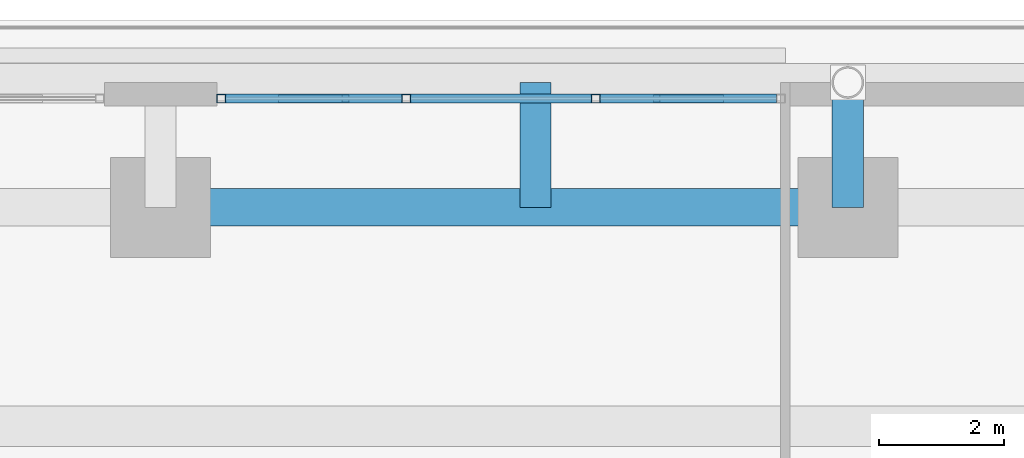
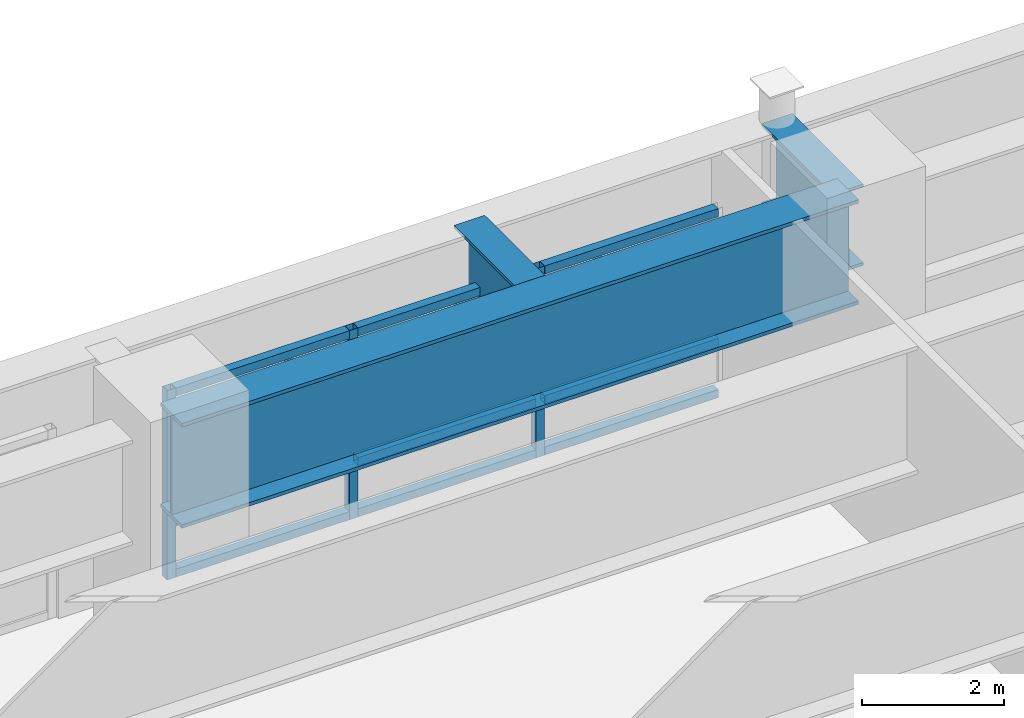
# One storey, part 19 of 35: 14 members, 3 beams, 1 element without a shape of its own.
"""IFC4 building model written with IfcOpenShell, lengths in metres."""

import ifcopenshell
import ifcopenshell.guid

model = None  # the IFC model being written
_history = None  # IfcOwnerHistory: only IFC2X3 demands one
_inside = {}  # id of a spatial element -> (the spatial element, [elements in it])
_under = {}  # id of a project, library or spatial element -> (it, [spatial elements below it])
_declared = {}  # id of a project -> (the project, [libraries it declares])
_typed = {}  # id of a type object -> (the type object, [elements of that type])
_made_of = {}  # id of a material, layer set ... -> (it, [elements and type objects made of it])


def new_model(schema):
    """Start an empty IFC model of exactly this schema.

    Asked for "IFC4X3", IfcOpenShell would pick the latest addendum, in which some entities
    have other attributes; the version numbers below select the first issue.
    IFC2X3 requires an IfcOwnerHistory on every rooted entity: one is made here for all.
    """
    global model, _history
    if schema == "IFC4X3":
        model = ifcopenshell.file(schema_version=(4, 3, 0, 0))
    else:
        model = ifcopenshell.file(schema=schema)
    _inside.clear()
    _under.clear()
    _declared.clear()
    _typed.clear()
    _made_of.clear()
    _history = None
    if model.schema == "IFC2X3":
        org = make("IfcOrganization", Name="unknown")
        user = make(
            "IfcPersonAndOrganization",
            ThePerson=make("IfcPerson", FamilyName="unknown"),
            TheOrganization=org,
        )
        app = make(
            "IfcApplication",
            ApplicationDeveloper=org,
            Version="unknown",
            ApplicationFullName="unknown",
            ApplicationIdentifier="unknown",
        )
        _history = make(
            "IfcOwnerHistory",
            OwningUser=user,
            OwningApplication=app,
            ChangeAction="ADDED",
            CreationDate=0,
        )
    return model


def make(cls, **values):
    """One entity of the class cls with the attributes given. An attribute that is None is left unset."""
    return model.create_entity(
        cls, **{name: value for name, value in values.items() if value is not None}
    )


def rooted(cls, **values):
    """An entity with a GlobalId (a new one), such as an element, a storey or a relation."""
    return make(cls, GlobalId=ifcopenshell.guid.new(), OwnerHistory=_history, **values)


def si_unit(unit_type, name, prefix=None):
    """IfcSIUnit, for example si_unit("LENGTHUNIT", "METRE", prefix="MILLI")."""
    return make("IfcSIUnit", UnitType=unit_type, Prefix=prefix, Name=name)


def assignment(units):
    """IfcUnitAssignment: the units of a project."""
    return None if units is None else make("IfcUnitAssignment", Units=units)


def point(xyz):
    """IfcCartesianPoint."""
    return None if xyz is None else make("IfcCartesianPoint", Coordinates=xyz)


def direction(xyz):
    """IfcDirection."""
    return None if xyz is None else make("IfcDirection", DirectionRatios=xyz)


def frame(location, z_axis=None, x_axis=None):
    """IfcAxis2Placement3D, a coordinate frame: its origin and axes. An axis left out is left unset."""
    return make(
        "IfcAxis2Placement3D",
        Location=point(location),
        Axis=direction(z_axis),
        RefDirection=direction(x_axis),
    )


def frame_2d(location, x_axis=None):
    """IfcAxis2Placement2D, a coordinate frame in the plane: its origin and x axis."""
    return make(
        "IfcAxis2Placement2D", Location=point(location), RefDirection=direction(x_axis)
    )


def origin():
    """The frame at (0, 0, 0) with its axes left unset."""
    return frame((0.0, 0.0, 0.0))


def origin_2d():
    """The frame at (0, 0) in the plane with its x axis left unset."""
    return frame_2d((0.0, 0.0))


def place(relative_to, where):
    """IfcLocalPlacement: puts the frame where relative to a parent placement (None: the world)."""
    return make(
        "IfcLocalPlacement", PlacementRelTo=relative_to, RelativePlacement=where
    )


def context(
    kind, dimensions, precision=None, world=None, true_north=None, identifier=None
):
    """IfcGeometricRepresentationContext, for example the 3D "Model" context."""
    return make(
        "IfcGeometricRepresentationContext",
        ContextIdentifier=identifier,
        ContextType=kind,
        CoordinateSpaceDimension=dimensions,
        Precision=precision,
        WorldCoordinateSystem=world,
        TrueNorth=true_north,
    )


def subcontext(parent, identifier, kind, view, scale=None):
    """IfcGeometricRepresentationSubContext, for example "Body" below "Model"."""
    return make(
        "IfcGeometricRepresentationSubContext",
        ContextIdentifier=identifier,
        ContextType=kind,
        ParentContext=parent,
        TargetScale=scale,
        TargetView=view,
    )


def project(units=None, contexts=None):
    """IfcProject with its units and contexts."""
    return rooted(
        "IfcProject",
        Name="project",
        RepresentationContexts=contexts,
        UnitsInContext=assignment(units),
    )


def spatial(cls, under=None, at=None, **own):
    """A site, building, storey or space (cls), placed at a placement, below another one or the project."""
    s = rooted(cls, ObjectPlacement=at, **own)
    if under is not None:
        _under.setdefault(under.id(), (under, []))[1].append(s)
    return s


def profile(cls, at=None, kind="AREA", **sizes):
    """A parametric profile (cls). Its sizes go by their IFC names, for example OverallWidth=200.0."""
    return make(cls, ProfileType=kind, Position=at, **sizes)


def hollow_rectangle(**sizes):
    """IfcRectangleHollowProfileDef."""
    return profile("IfcRectangleHollowProfileDef", **sizes)


def i_section(**sizes):
    """IfcIShapeProfileDef."""
    return profile("IfcIShapeProfileDef", **sizes)


def extrude(swept, where, along, depth):
    """IfcExtrudedAreaSolid: the profile swept, set in the frame where, extruded along a direction by depth."""
    return make(
        "IfcExtrudedAreaSolid",
        SweptArea=swept,
        Position=where,
        ExtrudedDirection=direction(along),
        Depth=depth,
    )


def shape(context_of_items, identifier, shape_type, items):
    """IfcShapeRepresentation: the items that make up one representation, for example the "Body"."""
    return make(
        "IfcShapeRepresentation",
        ContextOfItems=context_of_items,
        RepresentationIdentifier=identifier,
        RepresentationType=shape_type,
        Items=items,
    )


def source(mapping_origin, context_of_items, identifier, shape_type, items):
    """IfcRepresentationMap: a shape defined once, which mapped items show again and again."""
    return make(
        "IfcRepresentationMap",
        MappingOrigin=mapping_origin,
        MappedRepresentation=shape(context_of_items, identifier, shape_type, items),
    )


def transform(
    local_origin,
    x_axis=None,
    y_axis=None,
    z_axis=None,
    scale=None,
    scale2=None,
    scale3=None,
    uniform=True,
):
    """IfcCartesianTransformationOperator3D, or its non-uniform kind. x_axis, y_axis, z_axis: its Axis1, 2, 3."""
    if uniform:
        return make(
            "IfcCartesianTransformationOperator3D",
            Axis1=direction(x_axis),
            Axis2=direction(y_axis),
            LocalOrigin=point(local_origin),
            Scale=scale,
            Axis3=direction(z_axis),
        )
    return make(
        "IfcCartesianTransformationOperator3DnonUniform",
        Axis1=direction(x_axis),
        Axis2=direction(y_axis),
        LocalOrigin=point(local_origin),
        Scale=scale,
        Axis3=direction(z_axis),
        Scale2=scale2,
        Scale3=scale3,
    )


def mapped(mapping_source, mapping_target):
    """IfcMappedItem: shows the shape of a source again, moved by a transform."""
    return make(
        "IfcMappedItem", MappingSource=mapping_source, MappingTarget=mapping_target
    )


def material(Name=None, Category=None):
    """IfcMaterial."""
    return make("IfcMaterial", Name=Name, Category=Category)


def material_profile(
    of_material, cross_section, Name=None, Category=None, Priority=None
):
    """IfcMaterialProfile: a cross section and its material."""
    return make(
        "IfcMaterialProfile",
        Name=Name,
        Material=of_material,
        Profile=cross_section,
        Priority=Priority,
        Category=Category,
    )


def profile_set(profiles, Name=None, composite=None):
    """IfcMaterialProfileSet."""
    return make(
        "IfcMaterialProfileSet",
        Name=Name,
        MaterialProfiles=profiles,
        CompositeProfile=composite,
    )


def made_of(thing, what):
    """Note that an element or type object is made of a material, layer set ...; save() writes the relation."""
    if what is not None:
        _made_of.setdefault(what.id(), (what, []))[1].append(thing)
    return thing


def type_object(cls, material=None, **own):
    """A type object (cls), such as IfcWallType, which elements share."""
    return made_of(rooted(cls, **own), material)


def element(
    cls,
    number,
    at=None,
    inside=None,
    cuts=None,
    type_object=None,
    material=None,
    context=None,
    identifier="Body",
    shape_type=None,
    held_by="IfcProductDefinitionShape",
    body=None,
    shapes=None,
    **own,
):
    """One element of the class cls, such as IfcWall. Its Tag is "e" and its number.

    at: its placement. inside: the storey or other place that contains it. cuts: it is an
    opening in that element (IfcRelVoidsElement). A single representation is given by context,
    identifier, shape_type and body (its items); several are given by shapes. held_by: the class
    of the entity that holds the representations. save() writes the other relations.
    """
    e = rooted(cls, Tag="e%d" % number, ObjectPlacement=at, **own)
    if body is not None:
        shapes = [shape(context, identifier, shape_type, body)]
    if shapes is not None:
        e.Representation = make(held_by, Representations=shapes)
    if inside is not None:
        _inside.setdefault(inside.id(), (inside, []))[1].append(e)
    if cuts is not None:
        rooted(
            "IfcRelVoidsElement", RelatingBuildingElement=cuts, RelatedOpeningElement=e
        )
    if type_object is not None:
        _typed.setdefault(type_object.id(), (type_object, []))[1].append(e)
    return made_of(e, material)


def aggregate(whole, parts):
    """IfcRelAggregates: a whole, such as a stair, and the parts it consists of."""
    return rooted("IfcRelAggregates", RelatingObject=whole, RelatedObjects=parts)


def save(model, path):
    """Write the relations noted so far, then the file.

    IfcRelAggregates (storeys below a building ...), IfcRelContainedInSpatialStructure (elements
    in a storey), IfcRelDefinesByType, IfcRelAssociatesMaterial and IfcRelDeclares: one each for
    every whole, place, type object, material and project.
    """
    for whole, parts in _under.values():
        aggregate(whole, parts)
    for where, things in _inside.values():
        rooted(
            "IfcRelContainedInSpatialStructure",
            RelatedElements=things,
            RelatingStructure=where,
        )
    for kind, things in _typed.values():
        rooted("IfcRelDefinesByType", RelatedObjects=things, RelatingType=kind)
    for what, things in _made_of.values():
        rooted("IfcRelAssociatesMaterial", RelatedObjects=things, RelatingMaterial=what)
    for by, libraries in _declared.values():
        rooted("IfcRelDeclares", RelatingContext=by, RelatedDefinitions=libraries)
    model.write(path)


model = new_model("IFC4")

# Units and contexts
model_context = context("Model", 3, precision=1e-05, world=origin(), true_north=direction((0.0, 1.0)))
body_context = subcontext(model_context, "Body", "Model", "MODEL_VIEW")
ifc_project = project(units=[si_unit("LENGTHUNIT", "METRE"), si_unit("AREAUNIT", "SQUARE_METRE"), si_unit("VOLUMEUNIT", "CUBIC_METRE"), si_unit("PLANEANGLEUNIT", "RADIAN"), si_unit("MASSUNIT", "GRAM", prefix="KILO")], contexts=[model_context])

# Site, building, storey
site_placement = place(None, origin())
site = spatial("IfcSite", under=ifc_project, at=site_placement, CompositionType="ELEMENT")
building_placement = place(site_placement, origin())
building = spatial("IfcBuilding", under=site, at=building_placement, Name="Khorayat Bourse Tower", CompositionType="ELEMENT")
storey_placement = place(building_placement, frame((0.0, 0.0, 22.199951171875)))
storey = spatial("IfcBuildingStorey", under=building, at=storey_placement, Name="L04", CompositionType="ELEMENT", Elevation=22.199951171875)

# Beams
ifc_material_1 = material(Name="Steel EN 10025-4 S460M", Category="steel")
ifc_material_profile_1 = material_profile(ifc_material_1, i_section(OverallWidth=0.60009765625, OverallDepth=1.800048828125, WebThickness=0.031982421875, FlangeThickness=0.06005859375, at=origin_2d()), Name="PG 1800x600x32x60")
ifc_profile_set_1 = profile_set([ifc_material_profile_1], Name="Steel EN 10025-4 S460M")
beam_type_1 = type_object("IfcBeamType", Name="BM-TR-1800", PredefinedType="BEAM", material=ifc_profile_set_1)
shared_shape_1 = source(origin(), body_context, "Body", "SweptSolid", [
    extrude(i_section(OverallWidth=0.60009765625, OverallDepth=1.800048828125, WebThickness=0.031982421875, FlangeThickness=0.06005859375, at=origin_2d()), origin(), (0.0, 0.0, 1.0), 11.0),
])
beam_placement = place(storey_placement, frame((0.0, 32.0, 3.300048828125), z_axis=(1.0, 0.0, 0.0), x_axis=(0.0, 1.0, 0.0)))
element("IfcBeam", 1, at=beam_placement, inside=storey, type_object=beam_type_1, Name="L04 BM-TR-1800 BM-L04-PGX-087", PredefinedType="BEAM", context=body_context, shape_type="MappedRepresentation", body=[
    mapped(shared_shape_1, transform((0.0, 0.0, 0.0), scale=1.0)),
])
ifc_material_profile_2 = material_profile(ifc_material_1, i_section(OverallWidth=0.5, OverallDepth=1.39990234375, WebThickness=0.02490234375, FlangeThickness=0.050048828125, at=origin_2d()), Name="PG 1400x500x25x50")
ifc_profile_set_2 = profile_set([ifc_material_profile_2], Name="Steel EN 10025-4 S460M")
beam_type_2 = type_object("IfcBeamType", Name="BM-TR-1400", PredefinedType="BEAM", material=ifc_profile_set_2)
shared_shape_2 = source(origin(), body_context, "Body", "SweptSolid", [
    extrude(i_section(OverallWidth=0.5, OverallDepth=1.39990234375, WebThickness=0.02490234375, FlangeThickness=0.050048828125, at=origin_2d()), origin(), (0.0, 0.0, 1.0), 2.0),
])
for number, where, z_axis, x_axis, name in (
    (2, (6.0, 32.0, 3.5), (0.0, 1.0, 0.0), (-1.0, 0.0, 0.0), "L04 BM-TR-1400 BM-L04-PGY-132"),
    (3, (11.0, 32.0, 3.5), (0.0, 1.0, 0.0), (-1.0, 0.0, 0.0), "L04 BM-TR-1400 BM-L04-PGY-136"),
):
    element("IfcBeam", number, at=place(storey_placement, frame(where, z_axis=z_axis, x_axis=x_axis)), inside=storey, type_object=beam_type_2, Name=name, PredefinedType="BEAM", context=body_context, shape_type="MappedRepresentation", body=[
        mapped(shared_shape_2, transform((0.0, 0.0, 0.0), scale=1.0)),
    ])

# Curtain wall, members
ifc_material_2 = material(Name="Aluminium EN AW-6063 T6", Category="aluminium")
curtain_wall_type = type_object("IfcCurtainWallType", Name="CW-SYS-01", PredefinedType="NOTDEFINED", material=ifc_material_2)
curtain_wall_placement = place(storey_placement, origin())
curtain_wall = element("IfcCurtainWall", 4, at=curtain_wall_placement, inside=storey, type_object=curtain_wall_type, Name="L04 Curtain Wall CW-L04-NE", PredefinedType="NOTDEFINED")
ifc_material_profile_3 = material_profile(ifc_material_2, hollow_rectangle(XDim=0.139892578125, YDim=0.139892578125, WallThickness=0.006103515625, at=origin_2d()), Name="ALU 140x140x6")
ifc_profile_set_3 = profile_set([ifc_material_profile_3], Name="Aluminium EN AW-6063 T6")
member_type_1 = type_object("IfcMemberType", Name="CWT-HORZ-140", PredefinedType="USERDEFINED", material=ifc_profile_set_3)
shared_shape_3 = source(origin(), body_context, "Body", "SweptSolid", [
    extrude(hollow_rectangle(XDim=0.139892578125, YDim=0.139892578125, WallThickness=0.006103515625, at=origin_2d()), origin(), (0.0, 0.0, 1.0), 2.823486328125),
])
member_1_placement = place(storey_placement, frame((9.860107421875, 33.742919921875, 0.070068359375), z_axis=(-1.0, 0.0, 0.0), x_axis=(0.0, -1.0, 0.0)))
member_1 = element("IfcMember", 5, at=member_1_placement, type_object=member_type_1, Name="CW-L04-NE Horizontal Transom 1-1", ObjectType="TRANSOM", PredefinedType="USERDEFINED", context=body_context, shape_type="MappedRepresentation", body=[
    mapped(shared_shape_3, transform((0.0, 0.0, 0.0), scale=1.0)),
])
member_2_placement = place(storey_placement, frame((9.860107421875, 33.742919921875, 0.949951171875), z_axis=(-1.0, 0.0, 0.0), x_axis=(0.0, -1.0, 0.0)))
member_2 = element("IfcMember", 6, at=member_2_placement, type_object=member_type_1, Name="CW-L04-NE Horizontal Transom 1-2", ObjectType="TRANSOM", PredefinedType="USERDEFINED", context=body_context, shape_type="MappedRepresentation", body=[
    mapped(shared_shape_3, transform((0.0, 0.0, 0.0), scale=1.0)),
])
member_3_placement = place(storey_placement, frame((9.860107421875, 33.742919921875, 3.179931640625), z_axis=(-1.0, 0.0, 0.0), x_axis=(0.0, -1.0, 0.0)))
member_3 = element("IfcMember", 7, at=member_3_placement, type_object=member_type_1, Name="CW-L04-NE Horizontal Transom 1-3", ObjectType="TRANSOM", PredefinedType="USERDEFINED", context=body_context, shape_type="MappedRepresentation", body=[
    mapped(shared_shape_3, transform((0.0, 0.0, 0.0), scale=1.0)),
])
shared_shape_4 = source(origin(), body_context, "Body", "SweptSolid", [
    extrude(hollow_rectangle(XDim=0.139892578125, YDim=0.139892578125, WallThickness=0.006103515625, at=origin_2d()), origin(), (0.0, 0.0, 1.0), 2.893310546875),
])
member_4_placement = place(storey_placement, frame((6.896728515625, 33.742919921875, 0.070068359375), z_axis=(-1.0, 0.0, 0.0), x_axis=(0.0, -1.0, 0.0)))
member_4 = element("IfcMember", 8, at=member_4_placement, type_object=member_type_1, Name="CW-L04-NE Horizontal Transom 2-1", ObjectType="TRANSOM", PredefinedType="USERDEFINED", context=body_context, shape_type="MappedRepresentation", body=[
    mapped(shared_shape_4, transform((0.0, 0.0, 0.0), scale=1.0)),
])
member_5_placement = place(storey_placement, frame((6.896728515625, 33.742919921875, 0.949951171875), z_axis=(-1.0, 0.0, 0.0), x_axis=(0.0, -1.0, 0.0)))
member_5 = element("IfcMember", 9, at=member_5_placement, type_object=member_type_1, Name="CW-L04-NE Horizontal Transom 2-2", ObjectType="TRANSOM", PredefinedType="USERDEFINED", context=body_context, shape_type="MappedRepresentation", body=[
    mapped(shared_shape_4, transform((0.0, 0.0, 0.0), scale=1.0)),
])
member_6_placement = place(storey_placement, frame((6.896728515625, 33.742919921875, 3.179931640625), z_axis=(-1.0, 0.0, 0.0), x_axis=(0.0, -1.0, 0.0)))
member_6 = element("IfcMember", 10, at=member_6_placement, type_object=member_type_1, Name="CW-L04-NE Horizontal Transom 2-3", ObjectType="TRANSOM", PredefinedType="USERDEFINED", context=body_context, shape_type="MappedRepresentation", body=[
    mapped(shared_shape_4, transform((0.0, 0.0, 0.0), scale=1.0)),
])
shared_shape_5 = source(origin(), body_context, "Body", "SweptSolid", [
    extrude(hollow_rectangle(XDim=0.139892578125, YDim=0.139892578125, WallThickness=0.006103515625, at=origin_2d()), origin(), (0.0, 0.0, 1.0), 2.8232421875),
])
member_7_placement = place(storey_placement, frame((3.86328125, 33.742919921875, 0.070068359375), z_axis=(-1.0, 0.0, 0.0), x_axis=(0.0, -1.0, 0.0)))
member_7 = element("IfcMember", 11, at=member_7_placement, type_object=member_type_1, Name="CW-L04-NE Horizontal Transom 3-1", ObjectType="TRANSOM", PredefinedType="USERDEFINED", context=body_context, shape_type="MappedRepresentation", body=[
    mapped(shared_shape_5, transform((0.0, 0.0, 0.0), scale=1.0)),
])
member_8_placement = place(storey_placement, frame((3.86328125, 33.742919921875, 0.949951171875), z_axis=(-1.0, 0.0, 0.0), x_axis=(0.0, -1.0, 0.0)))
member_8 = element("IfcMember", 12, at=member_8_placement, type_object=member_type_1, Name="CW-L04-NE Horizontal Transom 3-2", ObjectType="TRANSOM", PredefinedType="USERDEFINED", context=body_context, shape_type="MappedRepresentation", body=[
    mapped(shared_shape_5, transform((0.0, 0.0, 0.0), scale=1.0)),
])
member_9_placement = place(storey_placement, frame((3.86328125, 33.742919921875, 3.179931640625), z_axis=(-1.0, 0.0, 0.0), x_axis=(0.0, -1.0, 0.0)))
member_9 = element("IfcMember", 13, at=member_9_placement, type_object=member_type_1, Name="CW-L04-NE Horizontal Transom 3-3", ObjectType="TRANSOM", PredefinedType="USERDEFINED", context=body_context, shape_type="MappedRepresentation", body=[
    mapped(shared_shape_5, transform((0.0, 0.0, 0.0), scale=1.0)),
])
ifc_material_profile_4 = material_profile(ifc_material_2, hollow_rectangle(XDim=0.139892578125, YDim=0.139892578125, WallThickness=0.006103515625, at=origin_2d()), Name="ALU 140x140x6")
ifc_profile_set_4 = profile_set([ifc_material_profile_4], Name="Aluminium EN AW-6063 T6")
member_type_2 = type_object("IfcMemberType", Name="CWM-VERT-140", PredefinedType="MULLION", material=ifc_profile_set_4)
shared_shape_6 = source(origin(), body_context, "Body", "SweptSolid", [
    extrude(hollow_rectangle(XDim=0.139892578125, YDim=0.139892578125, WallThickness=0.006103515625, at=origin_2d()), origin(), (0.0, 0.0, 1.0), 3.25),
])
member_10_placement = place(storey_placement, frame((6.966552734375, 33.742919921875, 0.0), z_axis=(0.0, 0.0, 1.0), x_axis=(0.0, -1.0, 0.0)))
member_10 = element("IfcMember", 14, at=member_10_placement, type_object=member_type_2, Name="CW-L04-NE Vertical Mullion 2", PredefinedType="MULLION", context=body_context, shape_type="MappedRepresentation", body=[
    mapped(shared_shape_6, transform((0.0, 0.0, 0.0), scale=1.0)),
])
member_11_placement = place(storey_placement, frame((3.933349609375, 33.742919921875, 0.0), z_axis=(0.0, 0.0, 1.0), x_axis=(0.0, -1.0, 0.0)))
member_11 = element("IfcMember", 15, at=member_11_placement, type_object=member_type_2, Name="CW-L04-NE Vertical Mullion 3", PredefinedType="MULLION", context=body_context, shape_type="MappedRepresentation", body=[
    mapped(shared_shape_6, transform((0.0, 0.0, 0.0), scale=1.0)),
])
member_12_placement = place(storey_placement, frame((0.969970703125, 33.742919921875, 0.0), z_axis=(0.0, 0.0, 1.0), x_axis=(0.0, -1.0, 0.0)))
member_12 = element("IfcMember", 16, at=member_12_placement, type_object=member_type_2, Name="CW-L04-NE Vertical Mullion 4", PredefinedType="MULLION", context=body_context, shape_type="MappedRepresentation", body=[
    mapped(shared_shape_6, transform((0.0, 0.0, 0.0), scale=1.0)),
])
ifc_material_profile_5 = material_profile(ifc_material_2, hollow_rectangle(XDim=0.1201171875, YDim=0.1201171875, WallThickness=0.0048828125, at=origin_2d()), Name="ALU 120x120x5")
ifc_profile_set_5 = profile_set([ifc_material_profile_5], Name="Aluminium EN AW-6063 T6")
member_type_3 = type_object("IfcMemberType", Name="CWM-DIAG-120", PredefinedType="MULLION", material=ifc_profile_set_5)
shared_shape_7 = source(origin(), body_context, "Body", "SweptSolid", [
    extrude(hollow_rectangle(XDim=0.1201171875, YDim=0.1201171875, WallThickness=0.0048828125, at=origin_2d()), origin(), (0.0, 0.0, 1.0), 2.180908203125),
])
member_13_placement = place(storey_placement, frame((8.956298828125, 33.742919921875, 1.10009765625), z_axis=(-0.465787955033, 0.0, 0.884896367348), x_axis=(0.0, -1.0, 0.0)))
member_13 = element("IfcMember", 17, at=member_13_placement, type_object=member_type_3, Name="CW-L04-NE Faceted Diagonal Mullion 1", PredefinedType="MULLION", context=body_context, shape_type="MappedRepresentation", body=[
    mapped(shared_shape_7, transform((0.0, 0.0, 0.0), scale=1.0)),
])
member_14_placement = place(storey_placement, frame((1.94384765625, 33.742919921875, 1.10009765625), z_axis=(0.465700293446, 0.0, 0.884942504734), x_axis=(0.0, 1.0, 0.0)))
member_14 = element("IfcMember", 18, at=member_14_placement, type_object=member_type_3, Name="CW-L04-NE Faceted Diagonal Mullion 3", PredefinedType="MULLION", context=body_context, shape_type="MappedRepresentation", body=[
    mapped(shared_shape_7, transform((0.0, 0.0, 0.0), scale=1.0)),
])
aggregate(curtain_wall, [member_10, member_11, member_12, member_1, member_2, member_3, member_13, member_4, member_5, member_6, member_7, member_8, member_9, member_14])

save(model, "model.ifc")
